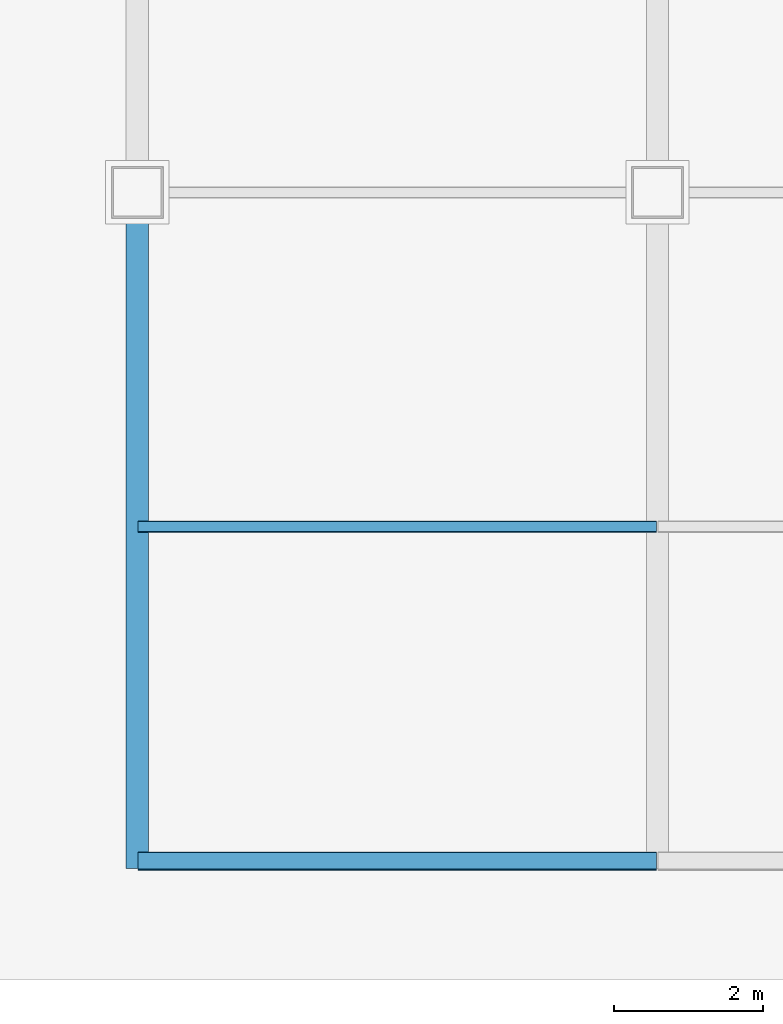
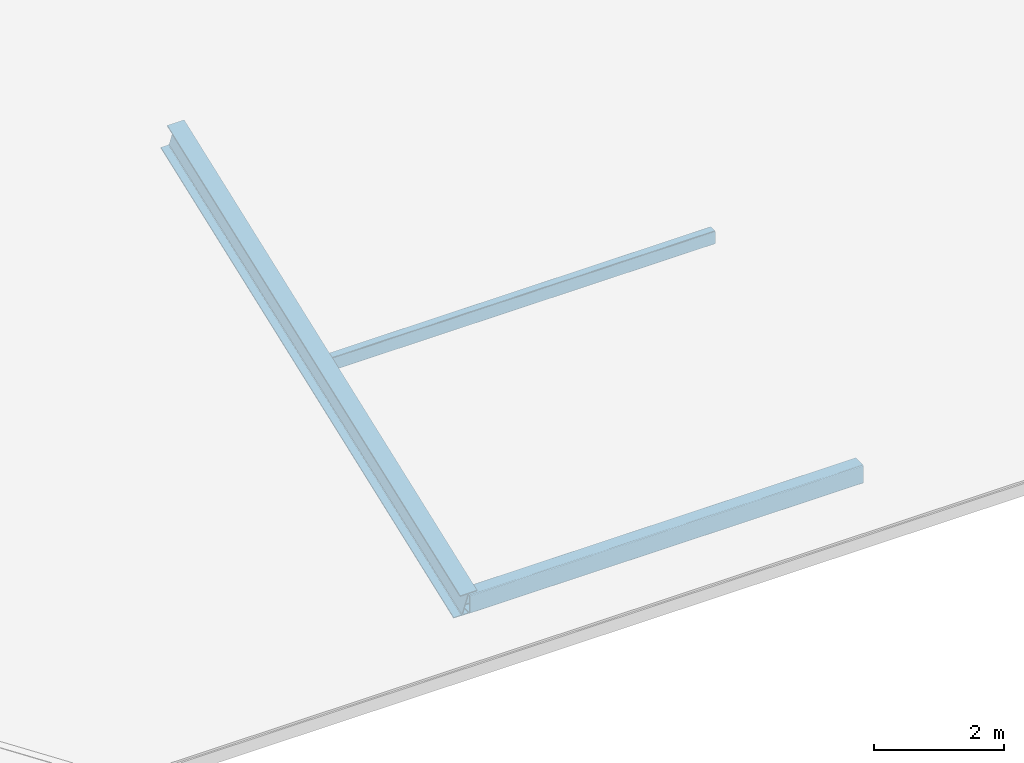
# One storey, part 3 of 12: 2 members, 1 beam.
"""IFC4 building model written with IfcOpenShell, lengths in metres."""

from ifc_helpers import new_model, si_unit, direction, frame, origin, origin_2d, place, context, subcontext, project, spatial, hollow_rectangle, i_section, extrude, material, material_profile, profile_set, type_object, element, save


model = new_model("IFC4")

# Units and contexts
model_context = context("Model", 3, precision=1e-05, world=origin(), true_north=direction((0.0, 1.0)))
body_context = subcontext(model_context, "Body", "Model", "MODEL_VIEW")
ifc_project = project(units=[si_unit("LENGTHUNIT", "METRE"), si_unit("AREAUNIT", "SQUARE_METRE"), si_unit("VOLUMEUNIT", "CUBIC_METRE"), si_unit("PLANEANGLEUNIT", "RADIAN"), si_unit("MASSUNIT", "GRAM", prefix="KILO")], contexts=[model_context])

# Site, building, storey
site_placement = place(None, origin())
site = spatial("IfcSite", under=ifc_project, at=site_placement, CompositionType="ELEMENT")
building_placement = place(site_placement, origin())
building = spatial("IfcBuilding", under=site, at=building_placement, Name="Noeulbin Bourse Tower", CompositionType="ELEMENT")
storey_placement = place(building_placement, frame((0.0, 0.0, 317.39990234375)))
storey = spatial("IfcBuildingStorey", under=building, at=storey_placement, Name="RF", CompositionType="ELEMENT", Elevation=317.39990234375)

# Beam
ifc_material = material(Name="Steel S355", Category="steel")
ifc_material_profile_1 = material_profile(ifc_material, i_section(OverallWidth=0.300048828125, OverallDepth=0.587890625, WebThickness=0.011962890625, FlangeThickness=0.02001953125, FilletRadius=0.02392578125, at=origin_2d()), Name="H-588x300x12x20", Category="LoadBearing")
ifc_profile_set_1 = profile_set([ifc_material_profile_1], Name="Steel S355")
beam_type = type_object("IfcBeamType", Name="BM-GRD-588", PredefinedType="USERDEFINED", material=ifc_profile_set_1)
beam_placement = place(storey_placement, frame((24.0, 20.0, -0.089111328125), z_axis=(0.0, 0.936679563984, 0.350187656001), x_axis=(-1.0, 0.0, 0.0)))
element("IfcBeam", 1, at=beam_placement, inside=storey, type_object=beam_type, Name="Sloped Crown Rafter G-588-01.1", ObjectType="GIRDER", PredefinedType="USERDEFINED", context=body_context, shape_type="SweptSolid", body=[
    extrude(i_section(OverallWidth=0.300048828125, OverallDepth=0.587890625, WebThickness=0.011962890625, FlangeThickness=0.02001953125, FilletRadius=0.02392578125, at=origin_2d()), origin(), (0.0, 0.0, 1.0), 9.6083984375),
])

# Members
ifc_material_profile_2 = material_profile(ifc_material, hollow_rectangle(XDim=0.14990234375, YDim=0.25, WallThickness=0.010009765625, InnerFilletRadius=0.010009765625, OuterFilletRadius=0.02001953125, at=origin_2d()), Name="RHS-250x150x10", Category="LoadBearing")
ifc_profile_set_2 = profile_set([ifc_material_profile_2], Name="Steel S355")
member_type_1 = type_object("IfcMemberType", Name="MEM-PRL-250", PredefinedType="PURLIN", material=ifc_profile_set_2)
member_1_placement = place(storey_placement, frame((24.010009765625, 24.5, 1.6572265625), z_axis=(1.0, 0.0, 0.0), x_axis=(0.0, 1.0, 0.0)))
element("IfcMember", 2, at=member_1_placement, inside=storey, type_object=member_type_1, Name="Crown Roof Purlin 2.1", PredefinedType="PURLIN", context=body_context, shape_type="SweptSolid", body=[
    extrude(hollow_rectangle(XDim=0.14990234375, YDim=0.25, WallThickness=0.010009765625, InnerFilletRadius=0.010009765625, OuterFilletRadius=0.02001953125, at=origin_2d()), origin(), (0.0, 0.0, 1.0), 6.97998046875),
])
ifc_material_profile_3 = material_profile(ifc_material, hollow_rectangle(XDim=0.25, YDim=0.35009765625, WallThickness=0.013916015625, InnerFilletRadius=0.013916015625, OuterFilletRadius=0.028076171875, at=origin_2d()), Name="RHS-350x250x14", Category="LoadBearing")
ifc_profile_set_3 = profile_set([ifc_material_profile_3], Name="Steel S355")
member_type_2 = type_object("IfcMemberType", Name="MEM-PRL-350", PredefinedType="PURLIN", material=ifc_profile_set_3)
member_2_placement = place(storey_placement, frame((24.010009765625, 20.0, -0.025390625), z_axis=(1.0, 0.0, 0.0), x_axis=(0.0, 1.0, 0.0)))
element("IfcMember", 3, at=member_2_placement, inside=storey, type_object=member_type_2, Name="Crown Roof Purlin 1.1", PredefinedType="PURLIN", context=body_context, shape_type="SweptSolid", body=[
    extrude(hollow_rectangle(XDim=0.25, YDim=0.35009765625, WallThickness=0.013916015625, InnerFilletRadius=0.013916015625, OuterFilletRadius=0.028076171875, at=origin_2d()), origin(), (0.0, 0.0, 1.0), 6.97998046875),
])

save(model, "model.ifc")
